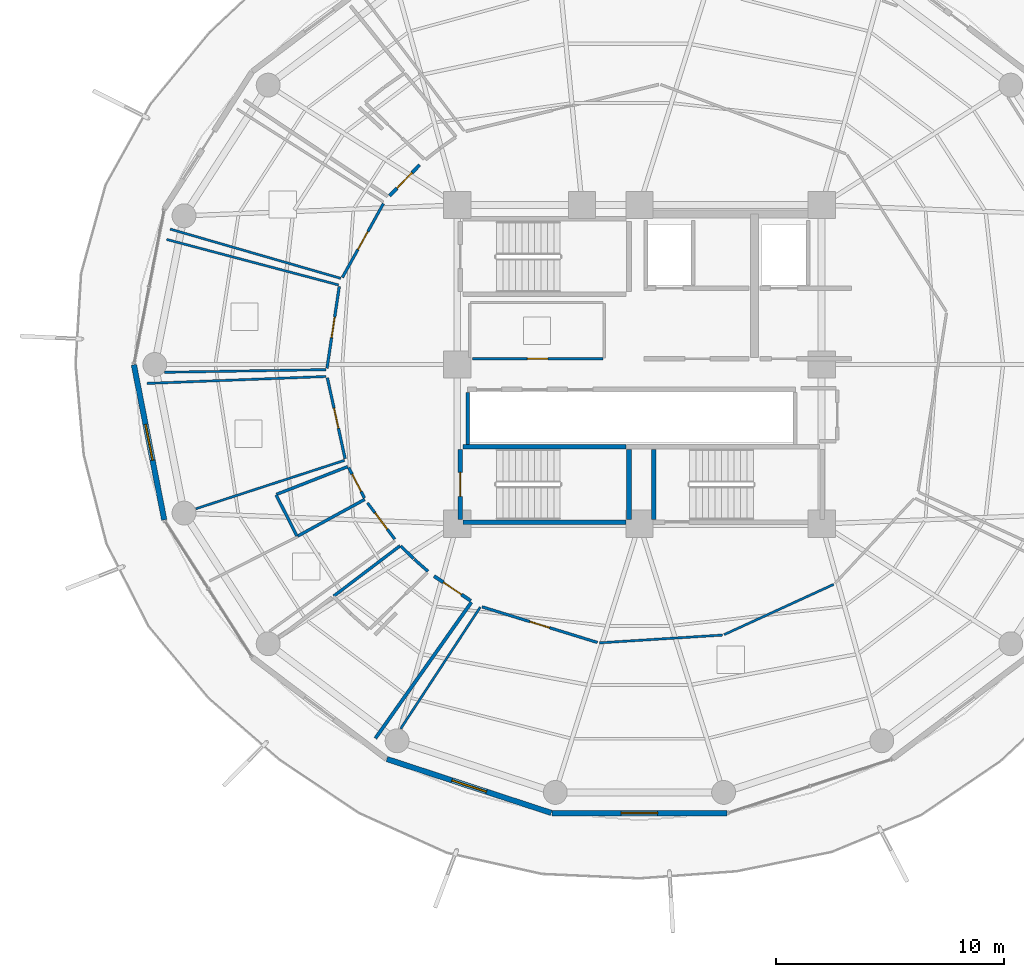
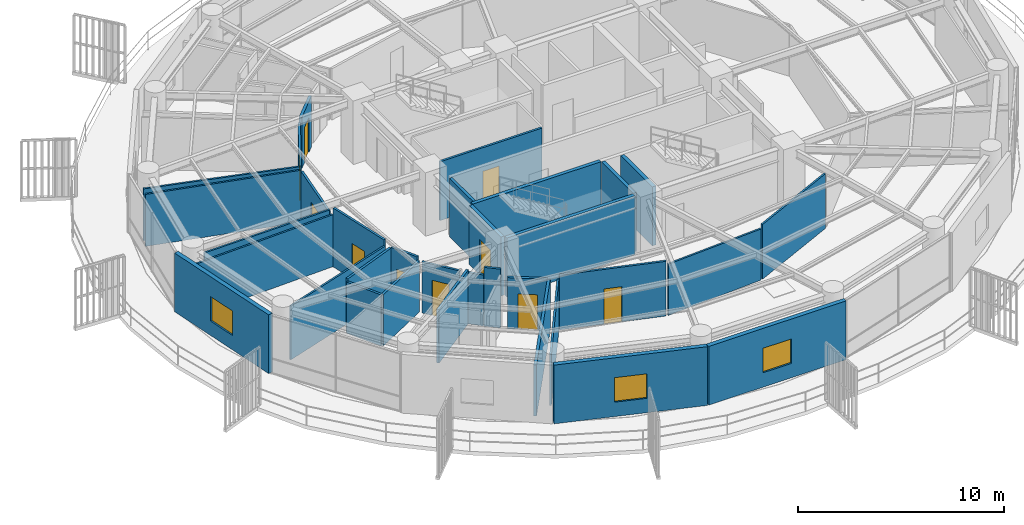
# One storey, part 23 of 30: 33 walls, 10 doors, 3 windows, 13 openings.
"""IFC4 building model written with IfcOpenShell, lengths in metres."""

from ifc_helpers import new_model, si_unit, direction, frame, frame_2d, origin, place, context, subcontext, project, spatial, rectangle, extrude, material, layer, layer_set, type_object, element, fill, save


model = new_model("IFC4")

# Units and contexts
model_context = context("Model", 3, precision=1e-05, world=origin(), true_north=direction((0.0, 1.0)))
body_context = subcontext(model_context, "Body", "Model", "MODEL_VIEW")
ifc_project = project(units=[si_unit("LENGTHUNIT", "METRE"), si_unit("AREAUNIT", "SQUARE_METRE"), si_unit("VOLUMEUNIT", "CUBIC_METRE"), si_unit("PLANEANGLEUNIT", "RADIAN"), si_unit("MASSUNIT", "GRAM", prefix="KILO")], contexts=[model_context])

# Site, building, storey
site_placement = place(None, origin())
site = spatial("IfcSite", under=ifc_project, at=site_placement, CompositionType="ELEMENT")
building_placement = place(site_placement, origin())
building = spatial("IfcBuilding", under=site, at=building_placement, Name="Kelanora Arch Commons", CompositionType="ELEMENT")
storey_placement = place(building_placement, frame((0.0, 0.0, 208.199951171875)))
storey = spatial("IfcBuildingStorey", under=building, at=storey_placement, Name="L53", CompositionType="ELEMENT", Elevation=208.199951171875)

# Wall
ifc_material_1 = material(Name="Autoclaved aerated concrete blockwork with fire plaster", Category="masonry")
ifc_layer_1 = layer(ifc_material_1, 0.14990234375)
ifc_layer_set_1 = layer_set([ifc_layer_1], Name="Autoclaved aerated concrete blockwork with fire plaster")
wall_type_1 = type_object("IfcWallType", Name="W-COMP-150", PredefinedType="PARTITIONING", material=ifc_layer_set_1)
wall_1_placement = place(storey_placement, frame((66.4599609375, 54.47998046875, 0.0), z_axis=(0.0, 0.0, 1.0), x_axis=(0.0, 1.0, 0.0)))
element("IfcWall", 1, at=wall_1_placement, inside=storey, type_object=wall_type_1, Name="South Lift Bank West Wall L53", PredefinedType="PARTITIONING", context=body_context, shape_type="SweptSolid", body=[
    extrude(rectangle(XDim=2.2900390625, YDim=0.14990234375, at=frame_2d((1.14501953125, 0.0))), origin(), (0.0, 0.0, 1.0), 3.47998046875),
])

# Wall, opening, door
wall_2_placement = place(storey_placement, frame((64.34716796875, 66.761962890625, 0.0), z_axis=(0.0, 0.0, 1.0), x_axis=(-0.697118859216, -0.716955574722, 0.0)))
wall_2 = element("IfcWall", 2, at=wall_2_placement, inside=storey, type_object=wall_type_1, Name="Co-Living Studio L53-01 Entry Partition", PredefinedType="PARTITIONING", context=body_context, shape_type="SweptSolid", body=[
    extrude(rectangle(XDim=1.895263671875, YDim=0.14990234375, at=frame_2d((0.94775390625, 0.0))), origin(), (0.0, 0.0, 1.0), 3.025146484375),
])
opening_1_placement = place(wall_2_placement, frame((0.472900390625, 0.0, 0.0)))
opening_1 = element("IfcOpeningElement", 3, at=opening_1_placement, cuts=wall_2, Name="Opening D-CLU1", PredefinedType="OPENING", context=body_context, shape_type="SweptSolid", body=[
    extrude(rectangle(XDim=0.949951171875, YDim=2.080078125, at=frame_2d((0.47509765625, 1.0400390625))), frame((0.0, 0.0849609375, 0.0), z_axis=(0.0, -1.0, 0.0), x_axis=(1.0, 0.0, 0.0)), (0.0, 0.0, 1.0), 0.169921875),
])
ifc_material_2 = material(Name="Solid-core acoustic timber cluster entry fire door", Category="wood")
door_type_1 = type_object("IfcDoorType", Name="D-CLU-95", OperationType="NOTDEFINED", PredefinedType="DOOR", material=ifc_material_2)
door_1_placement = place(opening_1_placement, origin())
door_1 = element("IfcDoor", 4, at=door_1_placement, inside=storey, type_object=door_type_1, Name="Co-Living Studio L53-01 Door", OperationType="SINGLE_SWING_RIGHT", OverallHeight=2.080078125, OverallWidth=0.949951171875, PredefinedType="DOOR", context=body_context, shape_type="SweptSolid", body=[
    extrude(rectangle(XDim=0.949951171875, YDim=2.080078125, at=frame_2d((0.47509765625, 1.0400390625))), frame((0.0, 0.02490234375, 0.0), z_axis=(0.0, -1.0, 0.0), x_axis=(1.0, 0.0, 0.0)), (0.0, 0.0, 1.0), 0.050048828125),
])
fill(opening_1, door_1)

wall_3_placement = place(storey_placement, frame((64.98388671875, 48.70654296875, 0.0), z_axis=(0.0, 0.0, 1.0), x_axis=(0.829408373073, -0.558642775553, 0.0)))
wall_3 = element("IfcWall", 5, at=wall_3_placement, inside=storey, type_object=wall_type_1, Name="Co-Living Studio L53-06 Entry Partition", PredefinedType="PARTITIONING", context=body_context, shape_type="SweptSolid", body=[
    extrude(rectangle(XDim=1.9404296875, YDim=0.14990234375, at=frame_2d((0.97021484375, 0.0))), origin(), (0.0, 0.0, 1.0), 3.025146484375),
])
opening_2_placement = place(wall_3_placement, frame((0.4951171875, 0.0, 0.0)))
opening_2 = element("IfcOpeningElement", 6, at=opening_2_placement, cuts=wall_3, Name="Opening D-CLU1", PredefinedType="OPENING", context=body_context, shape_type="SweptSolid", body=[
    extrude(rectangle(XDim=0.949951171875, YDim=2.080078125, at=frame_2d((0.47509765625, 1.0400390625))), frame((0.0, 0.0849609375, 0.0), z_axis=(0.0, -1.0, 0.0), x_axis=(1.0, 0.0, 0.0)), (0.0, 0.0, 1.0), 0.169921875),
])
door_2_placement = place(opening_2_placement, origin())
door_2 = element("IfcDoor", 7, at=door_2_placement, inside=storey, type_object=door_type_1, Name="Co-Living Studio L53-06 Door", OperationType="SINGLE_SWING_LEFT", OverallHeight=2.080078125, OverallWidth=0.949951171875, PredefinedType="DOOR", context=body_context, shape_type="SweptSolid", body=[
    extrude(rectangle(XDim=0.949951171875, YDim=2.080078125, at=frame_2d((0.47509765625, 1.0400390625))), frame((0.0, 0.02490234375, 0.0), z_axis=(0.0, -1.0, 0.0), x_axis=(1.0, 0.0, 0.0)), (0.0, 0.0, 1.0), 0.050048828125),
])
fill(opening_2, door_2)

# Wall
wall_4_placement = place(storey_placement, frame((66.619873046875, 47.556396484375, 0.0), z_axis=(0.0, 0.0, 1.0), x_axis=(-0.576552043051, -0.817060427174, 0.0)))
element("IfcWall", 8, at=wall_4_placement, inside=storey, type_object=wall_type_1, Name="Co-Living Studio L53-06 Enclosure Partition 2", PredefinedType="PARTITIONING", context=body_context, shape_type="SweptSolid", body=[
    extrude(rectangle(XDim=7.308837890625, YDim=0.14990234375, at=frame_2d((3.654296875, 0.0))), origin(), (0.0, 0.0, 1.0), 3.025146484375),
])

# Wall, opening, window
ifc_material_3 = material(Name="Precast concrete C40/50 upper-zone terracotta rainscreen", Category="masonry")
ifc_layer_2 = layer(ifc_material_3, 0.239990234375)
ifc_layer_set_2 = layer_set([ifc_layer_2], Name="Precast concrete C40/50 upper-zone terracotta rainscreen")
wall_type_2 = type_object("IfcWallType", Name="W-EXT-TC2", PredefinedType="SOLIDWALL", material=ifc_layer_set_2)
wall_5_placement = place(storey_placement, frame((51.802978515625, 57.9853515625, 0.0), z_axis=(0.0, 0.0, 1.0), x_axis=(0.192069055673, -0.981381413036, 0.0)))
wall_5 = element("IfcWall", 9, at=wall_5_placement, inside=storey, type_object=wall_type_2, Name="Terracotta Exterior Wall L53-B09", PredefinedType="SOLIDWALL", context=body_context, shape_type="SweptSolid", body=[
    extrude(rectangle(XDim=6.940185546875, YDim=0.239990234375, at=frame_2d((3.47021484375, 0.0))), origin(), (0.0, 0.0, 1.0), 3.47509765625),
])
opening_3_placement = place(wall_5_placement, frame((2.669921875, 0.0, 0.85009765625)))
opening_3 = element("IfcOpeningElement", 10, at=opening_3_placement, cuts=wall_5, Name="Opening WN-01", PredefinedType="OPENING", context=body_context, shape_type="SweptSolid", body=[
    extrude(rectangle(XDim=1.60009765625, YDim=1.449951171875, at=frame_2d((0.800048828125, 0.72509765625))), frame((0.0, 0.1298828125, 0.0), z_axis=(0.0, -1.0, 0.0), x_axis=(1.0, 0.0, 0.0)), (0.0, 0.0, 1.0), 0.260009765625),
])
ifc_material_4 = material(Name="Terracotta-anodised aluminium frame with operable low-E glazing", Category="masonry")
window_type = type_object("IfcWindowType", Name="WIN-CL-18", PartitioningType="DOUBLE_PANEL_VERTICAL", PredefinedType="WINDOW", material=ifc_material_4)
window_1_placement = place(opening_3_placement, origin())
window_1 = element("IfcWindow", 11, at=window_1_placement, inside=storey, type_object=window_type, Name="Co-Living Operable Window L53-B09", OverallHeight=1.449951171875, OverallWidth=1.60009765625, PartitioningType="SINGLE_PANEL", PredefinedType="WINDOW", context=body_context, shape_type="SweptSolid", body=[
    extrude(rectangle(XDim=1.60009765625, YDim=1.449951171875, at=frame_2d((0.800048828125, 0.72509765625))), frame((0.0, 0.030029296875, 0.0), z_axis=(0.0, -1.0, 0.0), x_axis=(1.0, 0.0, 0.0)), (0.0, 0.0, 1.0), 0.06005859375),
])
fill(opening_3, window_1)

wall_6_placement = place(storey_placement, frame((62.914306640625, 40.6748046875, 0.0), z_axis=(0.0, 0.0, 1.0), x_axis=(0.95022142767, -0.31157541366, 0.0)))
wall_6 = element("IfcWall", 12, at=wall_6_placement, inside=storey, type_object=wall_type_2, Name="Terracotta Exterior Wall L53-B12", PredefinedType="SOLIDWALL", context=body_context, shape_type="SweptSolid", body=[
    extrude(rectangle(XDim=7.59423828125, YDim=0.239990234375, at=frame_2d((3.797119140625, 0.0))), origin(), (0.0, 0.0, 1.0), 3.47509765625),
])
opening_4_placement = place(wall_6_placement, frame((2.9970703125, 0.0, 0.85009765625)))
opening_4 = element("IfcOpeningElement", 13, at=opening_4_placement, cuts=wall_6, Name="Opening WN-01", PredefinedType="OPENING", context=body_context, shape_type="SweptSolid", body=[
    extrude(rectangle(XDim=1.60009765625, YDim=1.449951171875, at=frame_2d((0.800048828125, 0.72509765625))), frame((0.0, 0.1298828125, 0.0), z_axis=(0.0, -1.0, 0.0), x_axis=(1.0, 0.0, 0.0)), (0.0, 0.0, 1.0), 0.260009765625),
])
window_2_placement = place(opening_4_placement, origin())
window_2 = element("IfcWindow", 14, at=window_2_placement, inside=storey, type_object=window_type, Name="Co-Living Operable Window L53-B12", OverallHeight=1.449951171875, OverallWidth=1.60009765625, PartitioningType="SINGLE_PANEL", PredefinedType="WINDOW", context=body_context, shape_type="SweptSolid", body=[
    extrude(rectangle(XDim=1.60009765625, YDim=1.449951171875, at=frame_2d((0.800048828125, 0.72509765625))), frame((0.0, 0.030029296875, 0.0), z_axis=(0.0, -1.0, 0.0), x_axis=(1.0, 0.0, 0.0)), (0.0, 0.0, 1.0), 0.06005859375),
])
fill(opening_4, window_2)

wall_7_placement = place(storey_placement, frame((70.159912109375, 38.3037109375, 0.0), z_axis=(0.0, 0.0, 1.0), x_axis=(1.0, 0.0, 0.0)))
wall_7 = element("IfcWall", 15, at=wall_7_placement, inside=storey, type_object=wall_type_2, Name="Terracotta Exterior Wall L53-B13", PredefinedType="SOLIDWALL", context=body_context, shape_type="SweptSolid", body=[
    extrude(rectangle(XDim=7.68017578125, YDim=0.239990234375, at=frame_2d((3.840087890625, 0.0))), origin(), (0.0, 0.0, 1.0), 3.47509765625),
])
opening_5_placement = place(wall_7_placement, frame((3.0400390625, 0.0, 0.85009765625)))
opening_5 = element("IfcOpeningElement", 16, at=opening_5_placement, cuts=wall_7, Name="Opening WN-01", PredefinedType="OPENING", context=body_context, shape_type="SweptSolid", body=[
    extrude(rectangle(XDim=1.60009765625, YDim=1.449951171875, at=frame_2d((0.800048828125, 0.72509765625))), frame((0.0, 0.1298828125, 0.0), z_axis=(0.0, -1.0, 0.0), x_axis=(1.0, 0.0, 0.0)), (0.0, 0.0, 1.0), 0.260009765625),
])
window_3_placement = place(opening_5_placement, origin())
window_3 = element("IfcWindow", 17, at=window_3_placement, inside=storey, type_object=window_type, Name="Co-Living Operable Window L53-B13", OverallHeight=1.449951171875, OverallWidth=1.60009765625, PartitioningType="SINGLE_PANEL", PredefinedType="WINDOW", context=body_context, shape_type="SweptSolid", body=[
    extrude(rectangle(XDim=1.60009765625, YDim=1.449951171875, at=frame_2d((0.800048828125, 0.72509765625))), frame((0.0, 0.030029296875, 0.0), z_axis=(0.0, -1.0, 0.0), x_axis=(1.0, 0.0, 0.0)), (0.0, 0.0, 1.0), 0.06005859375),
])
fill(opening_5, window_3)

# Walls
ifc_material_5 = material(Name="Lightweight fire-rated acoustic stud partition")
ifc_layer_3 = layer(ifc_material_5, 0.10009765625)
ifc_layer_set_3 = layer_set([ifc_layer_3], Name="Lightweight fire-rated acoustic stud partition")
wall_type_3 = type_object("IfcWallType", Name="W-PART-100", PredefinedType="PARTITIONING", material=ifc_layer_set_3)
wall_8_placement = place(storey_placement, frame((72.25390625, 45.777587890625, 0.0), z_axis=(0.0, 0.0, 1.0), x_axis=(0.99800477295, 0.063138523658, 0.0)))
element("IfcWall", 18, at=wall_8_placement, inside=storey, type_object=wall_type_3, Name="South-East Shared Study Commons L53 Enclosure Partition 2", PredefinedType="PARTITIONING", context=body_context, shape_type="SweptSolid", body=[
    extrude(rectangle(XDim=5.39794921875, YDim=0.10009765625, at=frame_2d((2.698974609375, 0.0))), origin(), (0.0, 0.0, 1.0), 3.025146484375),
])
wall_9_placement = place(storey_placement, frame((77.71728515625, 46.1376953125, 0.0), z_axis=(0.0, 0.0, 1.0), x_axis=(0.908908137454, 0.416996400069, 0.0)))
element("IfcWall", 19, at=wall_9_placement, inside=storey, type_object=wall_type_3, Name="South-East Shared Study Commons L53 Enclosure Partition 3", PredefinedType="PARTITIONING", context=body_context, shape_type="SweptSolid", body=[
    extrude(rectangle(XDim=5.2890625, YDim=0.10009765625, at=frame_2d((2.64453125, 0.0))), origin(), (0.0, 0.0, 1.0), 3.235107421875),
])
wall_10_placement = place(storey_placement, frame((63.513916015625, 42.00439453125, 0.0), z_axis=(0.0, 0.0, 1.0), x_axis=(0.547776057645, 0.836625000028, 0.0)))
element("IfcWall", 20, at=wall_10_placement, inside=storey, type_object=wall_type_3, Name="South-East Shared Study Commons L53 Enclosure Partition 10", PredefinedType="PARTITIONING", context=body_context, shape_type="SweptSolid", body=[
    extrude(rectangle(XDim=6.380615234375, YDim=0.10009765625, at=frame_2d((3.1904296875, 0.0))), origin(), (0.0, 0.0, 1.0), 3.025146484375),
])
wall_11_placement = place(storey_placement, frame((60.888671875, 61.780029296875, 0.0), z_axis=(0.0, 0.0, 1.0), x_axis=(-0.960734399679, 0.277469661899, 0.0)))
element("IfcWall", 21, at=wall_11_placement, inside=storey, type_object=wall_type_3, Name="Shared Cluster Kitchen L53-02 Enclosure Partition 2", PredefinedType="PARTITIONING", context=body_context, shape_type="SweptSolid", body=[
    extrude(rectangle(XDim=7.79833984375, YDim=0.10009765625, at=frame_2d((3.899169921875, 0.0))), origin(), (0.0, 0.0, 1.0), 3.074951171875),
])
wall_12_placement = place(storey_placement, frame((60.23193359375, 57.773193359375, 0.0), z_axis=(0.0, 0.0, 1.0), x_axis=(-0.999864271248, -0.016475408379, 0.0)))
element("IfcWall", 22, at=wall_12_placement, inside=storey, type_object=wall_type_3, Name="Quiet Seminar Study Room L53-03 Enclosure Partition 2", PredefinedType="PARTITIONING", context=body_context, shape_type="SweptSolid", body=[
    extrude(rectangle(XDim=7.083251953125, YDim=0.10009765625, at=frame_2d((3.54150390625, 0.0))), origin(), (0.0, 0.0, 1.0), 3.175048828125),
])
wall_13_placement = place(storey_placement, frame((53.24072265625, 63.48974609375, 0.0), z_axis=(0.0, 0.0, 1.0), x_axis=(0.966701361123, -0.25590716755, 0.0)))
element("IfcWall", 23, at=wall_13_placement, inside=storey, type_object=wall_type_3, Name="Quiet Seminar Study Room L53-03 Enclosure Partition 4", PredefinedType="PARTITIONING", context=body_context, shape_type="SweptSolid", body=[
    extrude(rectangle(XDim=7.8095703125, YDim=0.10009765625, at=frame_2d((3.90478515625, 0.0))), origin(), (0.0, 0.0, 1.0), 3.074951171875),
])
wall_14_placement = place(storey_placement, frame((61.052001953125, 53.79052734375, 0.0), z_axis=(0.0, 0.0, 1.0), x_axis=(-0.950863645771, -0.309609959708, 0.0)))
element("IfcWall", 24, at=wall_14_placement, inside=storey, type_object=wall_type_3, Name="Social Sky Lounge L53-04 Enclosure Partition 2", PredefinedType="PARTITIONING", context=body_context, shape_type="SweptSolid", body=[
    extrude(rectangle(XDim=6.869873046875, YDim=0.10009765625, at=frame_2d((3.43505859375, 0.0))), origin(), (0.0, 0.0, 1.0), 3.175048828125),
])
wall_15_placement = place(storey_placement, frame((52.3798828125, 57.16845703125, 0.0), z_axis=(0.0, 0.0, 1.0), x_axis=(0.999258468257, 0.038503423452, 0.0)))
element("IfcWall", 25, at=wall_15_placement, inside=storey, type_object=wall_type_3, Name="Social Sky Lounge L53-04 Enclosure Partition 4", PredefinedType="PARTITIONING", context=body_context, shape_type="SweptSolid", body=[
    extrude(rectangle(XDim=7.868896484375, YDim=0.10009765625, at=frame_2d((3.9345703125, 0.0))), origin(), (0.0, 0.0, 1.0), 3.074951171875),
])

# Wall, opening, door
ifc_material_6 = material(Name="Acoustic twin-stud fire-rated gypsum partition")
ifc_layer_4 = layer(ifc_material_6, 0.1201171875)
ifc_layer_set_4 = layer_set([ifc_layer_4], Name="Acoustic twin-stud fire-rated gypsum partition")
wall_type_4 = type_object("IfcWallType", Name="W-PART-120", PredefinedType="PARTITIONING", material=ifc_layer_set_4)
wall_16_placement = place(storey_placement, frame((66.67529296875, 58.25, 0.0), z_axis=(0.0, 0.0, 1.0), x_axis=(1.0, 0.0, 0.0)))
wall_16 = element("IfcWall", 26, at=wall_16_placement, inside=storey, type_object=wall_type_4, Name="Reclaimed Core Study Pod Lounge L53 Entry Partition", PredefinedType="PARTITIONING", context=body_context, shape_type="SweptSolid", body=[
    extrude(rectangle(XDim=5.714599609375, YDim=0.1201171875, at=frame_2d((2.857421875, 0.0))), origin(), (0.0, 0.0, 1.0), 3.47998046875),
])
opening_6_placement = place(wall_16_placement, frame((2.406982421875, 0.0, 0.0)))
opening_6 = element("IfcOpeningElement", 27, at=opening_6_placement, cuts=wall_16, Name="Opening D-RM1", PredefinedType="OPENING", context=body_context, shape_type="SweptSolid", body=[
    extrude(rectangle(XDim=0.89990234375, YDim=2.080078125, at=frame_2d((0.449951171875, 1.0400390625))), frame((0.0, 0.070068359375, 0.0), z_axis=(0.0, -1.0, 0.0), x_axis=(1.0, 0.0, 0.0)), (0.0, 0.0, 1.0), 0.14013671875),
])
ifc_material_7 = material(Name="Acoustic fire-rated timber study and lounge door", Category="wood")
door_type_2 = type_object("IfcDoorType", Name="D-ROOM-90", OperationType="NOTDEFINED", PredefinedType="DOOR", material=ifc_material_7)
door_3_placement = place(opening_6_placement, origin())
door_3 = element("IfcDoor", 28, at=door_3_placement, inside=storey, type_object=door_type_2, Name="Reclaimed Core Study Pod Lounge L53 Door", OperationType="SINGLE_SWING_RIGHT", OverallHeight=2.080078125, OverallWidth=0.89990234375, PredefinedType="DOOR", context=body_context, shape_type="SweptSolid", body=[
    extrude(rectangle(XDim=0.89990234375, YDim=2.080078125, at=frame_2d((0.449951171875, 1.0400390625))), frame((0.0, 0.02490234375, 0.0), z_axis=(0.0, -1.0, 0.0), x_axis=(1.0, 0.0, 0.0)), (0.0, 0.0, 1.0), 0.050048828125),
])
fill(opening_6, door_3)

wall_17_placement = place(storey_placement, frame((67.08837890625, 47.3583984375, 0.0), z_axis=(0.0, 0.0, 1.0), x_axis=(0.955451026591, -0.295149683696, 0.0)))
wall_17 = element("IfcWall", 29, at=wall_17_placement, inside=storey, type_object=wall_type_4, Name="South-East Shared Study Commons L53 Entry Partition", PredefinedType="PARTITIONING", context=body_context, shape_type="SweptSolid", body=[
    extrude(rectangle(XDim=5.3046875, YDim=0.1201171875, at=frame_2d((2.65234375, 0.0))), origin(), (0.0, 0.0, 1.0), 3.235107421875),
])
opening_7_placement = place(wall_17_placement, frame((2.201904296875, 0.0, 0.0)))
opening_7 = element("IfcOpeningElement", 30, at=opening_7_placement, cuts=wall_17, Name="Opening D-RM1", PredefinedType="OPENING", context=body_context, shape_type="SweptSolid", body=[
    extrude(rectangle(XDim=0.89990234375, YDim=2.080078125, at=frame_2d((0.449951171875, 1.0400390625))), frame((0.0, 0.070068359375, 0.0), z_axis=(0.0, -1.0, 0.0), x_axis=(1.0, 0.0, 0.0)), (0.0, 0.0, 1.0), 0.14013671875),
])
door_4_placement = place(opening_7_placement, origin())
door_4 = element("IfcDoor", 31, at=door_4_placement, inside=storey, type_object=door_type_2, Name="South-East Shared Study Commons L53 Door", OperationType="SINGLE_SWING_LEFT", OverallHeight=2.080078125, OverallWidth=0.89990234375, PredefinedType="DOOR", context=body_context, shape_type="SweptSolid", body=[
    extrude(rectangle(XDim=0.89990234375, YDim=2.080078125, at=frame_2d((0.449951171875, 1.0400390625))), frame((0.0, 0.02490234375, 0.0), z_axis=(0.0, -1.0, 0.0), x_axis=(1.0, 0.0, 0.0)), (0.0, 0.0, 1.0), 0.050048828125),
])
fill(opening_7, door_4)

wall_18_placement = place(storey_placement, frame((62.7587890625, 65.063720703125, 0.0), z_axis=(0.0, 0.0, 1.0), x_axis=(-0.485877595764, -0.874026865683, 0.0)))
wall_18 = element("IfcWall", 32, at=wall_18_placement, inside=storey, type_object=wall_type_4, Name="Shared Cluster Kitchen L53-02 Entry Partition", PredefinedType="PARTITIONING", context=body_context, shape_type="SweptSolid", body=[
    extrude(rectangle(XDim=3.709716796875, YDim=0.1201171875, at=frame_2d((1.85498046875, 0.0))), origin(), (0.0, 0.0, 1.0), 3.025146484375),
])
opening_8_placement = place(wall_18_placement, frame((1.405029296875, 0.0, 0.0)))
opening_8 = element("IfcOpeningElement", 33, at=opening_8_placement, cuts=wall_18, Name="Opening D-RM1", PredefinedType="OPENING", context=body_context, shape_type="SweptSolid", body=[
    extrude(rectangle(XDim=0.89990234375, YDim=2.080078125, at=frame_2d((0.449951171875, 1.0400390625))), frame((0.0, 0.070068359375, 0.0), z_axis=(0.0, -1.0, 0.0), x_axis=(1.0, 0.0, 0.0)), (0.0, 0.0, 1.0), 0.14013671875),
])
door_5_placement = place(opening_8_placement, origin())
door_5 = element("IfcDoor", 34, at=door_5_placement, inside=storey, type_object=door_type_2, Name="Shared Cluster Kitchen L53-02 Door", OperationType="SINGLE_SWING_LEFT", OverallHeight=2.080078125, OverallWidth=0.89990234375, PredefinedType="DOOR", context=body_context, shape_type="SweptSolid", body=[
    extrude(rectangle(XDim=0.89990234375, YDim=2.080078125, at=frame_2d((0.449951171875, 1.0400390625))), frame((0.0, 0.02490234375, 0.0), z_axis=(0.0, -1.0, 0.0), x_axis=(1.0, 0.0, 0.0)), (0.0, 0.0, 1.0), 0.050048828125),
])
fill(opening_8, door_5)

wall_19_placement = place(storey_placement, frame((60.820068359375, 61.421630859375, 0.0), z_axis=(0.0, 0.0, 1.0), x_axis=(-0.148557592641, -0.988903757536, 0.0)))
wall_19 = element("IfcWall", 35, at=wall_19_placement, inside=storey, type_object=wall_type_4, Name="Quiet Seminar Study Room L53-03 Entry Partition", PredefinedType="PARTITIONING", context=body_context, shape_type="SweptSolid", body=[
    extrude(rectangle(XDim=3.628662109375, YDim=0.1201171875, at=frame_2d((1.814453125, 0.0))), origin(), (0.0, 0.0, 1.0), 3.025146484375),
])
opening_9_placement = place(wall_19_placement, frame((1.364013671875, 0.0, 0.0)))
opening_9 = element("IfcOpeningElement", 36, at=opening_9_placement, cuts=wall_19, Name="Opening D-RM1", PredefinedType="OPENING", context=body_context, shape_type="SweptSolid", body=[
    extrude(rectangle(XDim=0.89990234375, YDim=2.080078125, at=frame_2d((0.449951171875, 1.0400390625))), frame((0.0, 0.070068359375, 0.0), z_axis=(0.0, -1.0, 0.0), x_axis=(1.0, 0.0, 0.0)), (0.0, 0.0, 1.0), 0.14013671875),
])
door_6_placement = place(opening_9_placement, origin())
door_6 = element("IfcDoor", 37, at=door_6_placement, inside=storey, type_object=door_type_2, Name="Quiet Seminar Study Room L53-03 Door", OperationType="SINGLE_SWING_RIGHT", OverallHeight=2.080078125, OverallWidth=0.89990234375, PredefinedType="DOOR", context=body_context, shape_type="SweptSolid", body=[
    extrude(rectangle(XDim=0.89990234375, YDim=2.080078125, at=frame_2d((0.449951171875, 1.0400390625))), frame((0.0, 0.02490234375, 0.0), z_axis=(0.0, -1.0, 0.0), x_axis=(1.0, 0.0, 0.0)), (0.0, 0.0, 1.0), 0.050048828125),
])
fill(opening_9, door_6)

wall_20_placement = place(storey_placement, frame((60.2958984375, 57.414306640625, 0.0), z_axis=(0.0, 0.0, 1.0), x_axis=(0.214769597133, -0.976664742963, 0.0)))
wall_20 = element("IfcWall", 38, at=wall_20_placement, inside=storey, type_object=wall_type_4, Name="Social Sky Lounge L53-04 Entry Partition", PredefinedType="PARTITIONING", context=body_context, shape_type="SweptSolid", body=[
    extrude(rectangle(XDim=3.6376953125, YDim=0.1201171875, at=frame_2d((1.81884765625, 0.0))), origin(), (0.0, 0.0, 1.0), 3.47998046875),
])
opening_10_placement = place(wall_20_placement, frame((1.368896484375, 0.0, 0.0)))
opening_10 = element("IfcOpeningElement", 39, at=opening_10_placement, cuts=wall_20, Name="Opening D-RM1", PredefinedType="OPENING", context=body_context, shape_type="SweptSolid", body=[
    extrude(rectangle(XDim=0.89990234375, YDim=2.080078125, at=frame_2d((0.449951171875, 1.0400390625))), frame((0.0, 0.070068359375, 0.0), z_axis=(0.0, -1.0, 0.0), x_axis=(1.0, 0.0, 0.0)), (0.0, 0.0, 1.0), 0.14013671875),
])
door_7_placement = place(opening_10_placement, origin())
door_7 = element("IfcDoor", 40, at=door_7_placement, inside=storey, type_object=door_type_2, Name="Social Sky Lounge L53-04 Door", OperationType="SINGLE_SWING_LEFT", OverallHeight=2.080078125, OverallWidth=0.89990234375, PredefinedType="DOOR", context=body_context, shape_type="SweptSolid", body=[
    extrude(rectangle(XDim=0.89990234375, YDim=2.080078125, at=frame_2d((0.449951171875, 1.0400390625))), frame((0.0, 0.02490234375, 0.0), z_axis=(0.0, -1.0, 0.0), x_axis=(1.0, 0.0, 0.0)), (0.0, 0.0, 1.0), 0.050048828125),
])
fill(opening_10, door_7)

wall_21_placement = place(storey_placement, frame((62.06005859375, 51.922119140625, 0.0), z_axis=(0.0, 0.0, 1.0), x_axis=(0.600647163637, -0.799514218019, 0.0)))
wall_21 = element("IfcWall", 41, at=wall_21_placement, inside=storey, type_object=wall_type_4, Name="Tutorial Study Alcove L53-05 Entry Partition", PredefinedType="PARTITIONING", context=body_context, shape_type="SweptSolid", body=[
    extrude(rectangle(XDim=1.9912109375, YDim=0.1201171875, at=frame_2d((0.99560546875, 0.0))), origin(), (0.0, 0.0, 1.0), 3.025146484375),
])
opening_11_placement = place(wall_21_placement, frame((0.5458984375, 0.0, 0.0)))
opening_11 = element("IfcOpeningElement", 42, at=opening_11_placement, cuts=wall_21, Name="Opening D-RM1", PredefinedType="OPENING", context=body_context, shape_type="SweptSolid", body=[
    extrude(rectangle(XDim=0.89990234375, YDim=2.080078125, at=frame_2d((0.449951171875, 1.0400390625))), frame((0.0, 0.070068359375, 0.0), z_axis=(0.0, -1.0, 0.0), x_axis=(1.0, 0.0, 0.0)), (0.0, 0.0, 1.0), 0.14013671875),
])
door_8_placement = place(opening_11_placement, origin())
door_8 = element("IfcDoor", 43, at=door_8_placement, inside=storey, type_object=door_type_2, Name="Tutorial Study Alcove L53-05 Door", OperationType="SINGLE_SWING_LEFT", OverallHeight=2.080078125, OverallWidth=0.89990234375, PredefinedType="DOOR", context=body_context, shape_type="SweptSolid", body=[
    extrude(rectangle(XDim=0.89990234375, YDim=2.080078125, at=frame_2d((0.449951171875, 1.0400390625))), frame((0.0, 0.02490234375, 0.0), z_axis=(0.0, -1.0, 0.0), x_axis=(1.0, 0.0, 0.0)), (0.0, 0.0, 1.0), 0.050048828125),
])
fill(opening_11, door_8)

# Walls
ifc_material_8 = material(Name="Concrete C40/50", Category="concrete")
ifc_layer_5 = layer(ifc_material_8, 0.199951171875)
ifc_layer_set_5 = layer_set([ifc_layer_5], Name="Concrete C40/50")
wall_type_5 = type_object("IfcWallType", Name="W-STAIR-200", PredefinedType="SHEAR", material=ifc_layer_set_5)
wall_22_placement = place(storey_placement, frame((74.6201171875, 54.27001953125, 0.0), z_axis=(0.0, 0.0, 1.0), x_axis=(0.0, -1.0, 0.0)))
element("IfcWall", 44, at=wall_22_placement, inside=storey, type_object=wall_type_5, Name="Stair ST-T2 Shaft Wall W L53", PredefinedType="SHEAR", context=body_context, shape_type="SweptSolid", body=[
    extrude(rectangle(XDim=3.070068359375, YDim=0.199951171875, at=frame_2d((1.53515625, 0.0))), origin(), (0.0, 0.0, 1.0), 3.489990234375),
])
wall_23_placement = place(storey_placement, frame((66.260009765625, 51.080078125, 0.0), z_axis=(0.0, 0.0, 1.0), x_axis=(1.0, 0.0, 0.0)))
element("IfcWall", 45, at=wall_23_placement, inside=storey, type_object=wall_type_5, Name="Stair ST-T3 Shaft Wall S L53", PredefinedType="SHEAR", context=body_context, shape_type="SweptSolid", body=[
    extrude(rectangle(XDim=7.159912109375, YDim=0.199951171875, at=frame_2d((3.580078125, 0.0))), origin(), (0.0, 0.0, 1.0), 3.489990234375),
])
wall_24_placement = place(storey_placement, frame((73.5400390625, 51.199951171875, 0.0), z_axis=(0.0, 0.0, 1.0), x_axis=(0.0, 1.0, 0.0)))
element("IfcWall", 46, at=wall_24_placement, inside=storey, type_object=wall_type_5, Name="Stair ST-T3 Shaft Wall E L53", PredefinedType="SHEAR", context=body_context, shape_type="SweptSolid", body=[
    extrude(rectangle(XDim=3.070068359375, YDim=0.199951171875, at=frame_2d((1.53515625, 0.0))), origin(), (0.0, 0.0, 1.0), 3.489990234375),
])
wall_25_placement = place(storey_placement, frame((73.419921875, 54.389892578125, 0.0), z_axis=(0.0, 0.0, 1.0), x_axis=(-1.0, 0.0, 0.0)))
element("IfcWall", 47, at=wall_25_placement, inside=storey, type_object=wall_type_5, Name="Stair ST-T3 Shaft Wall N L53", PredefinedType="SHEAR", context=body_context, shape_type="SweptSolid", body=[
    extrude(rectangle(XDim=7.159912109375, YDim=0.199951171875, at=frame_2d((3.580078125, 0.0))), origin(), (0.0, 0.0, 1.0), 3.489990234375),
])

# Wall, opening, door
wall_26_placement = place(storey_placement, frame((66.139892578125, 54.27001953125, 0.0), z_axis=(0.0, 0.0, 1.0), x_axis=(0.0, -1.0, 0.0)))
wall_26 = element("IfcWall", 48, at=wall_26_placement, inside=storey, type_object=wall_type_5, Name="Stair ST-T3 Shaft Wall W L53", PredefinedType="SHEAR", context=body_context, shape_type="SweptSolid", body=[
    extrude(rectangle(XDim=3.070068359375, YDim=0.199951171875, at=frame_2d((1.53515625, 0.0))), origin(), (0.0, 0.0, 1.0), 3.489990234375),
])
opening_12_placement = place(wall_26_placement, frame((1.010009765625, 0.0, 0.0)))
opening_12 = element("IfcOpeningElement", 49, at=opening_12_placement, cuts=wall_26, Name="Opening D-ST1", PredefinedType="OPENING", context=body_context, shape_type="SweptSolid", body=[
    extrude(rectangle(XDim=1.050048828125, YDim=2.10009765625, at=frame_2d((0.52490234375, 1.050048828125))), frame((0.0, 0.10986328125, 0.0), z_axis=(0.0, -1.0, 0.0), x_axis=(1.0, 0.0, 0.0)), (0.0, 0.0, 1.0), 0.219970703125),
])
ifc_material_9 = material(Name="Steel fire-rated stairwell escape door", Category="steel")
door_type_3 = type_object("IfcDoorType", Name="D-STAIR-110", OperationType="NOTDEFINED", PredefinedType="DOOR", material=ifc_material_9)
door_9_placement = place(opening_12_placement, origin())
door_9 = element("IfcDoor", 50, at=door_9_placement, inside=storey, type_object=door_type_3, Name="Stair ST-T3 Escape Door L53", OperationType="SINGLE_SWING_LEFT", OverallHeight=2.10009765625, OverallWidth=1.050048828125, PredefinedType="DOOR", context=body_context, shape_type="SweptSolid", body=[
    extrude(rectangle(XDim=1.050048828125, YDim=2.10009765625, at=frame_2d((0.52490234375, 1.050048828125))), frame((0.0, 0.02490234375, 0.0), z_axis=(0.0, -1.0, 0.0), x_axis=(1.0, 0.0, 0.0)), (0.0, 0.0, 1.0), 0.050048828125),
])
fill(opening_12, door_9)

ifc_material_10 = material(Name="Moisture-resistant fire-rated cement-board plumbing wall")
ifc_layer_6 = layer(ifc_material_10, 0.1298828125)
ifc_layer_set_6 = layer_set([ifc_layer_6], Name="Moisture-resistant fire-rated cement-board plumbing wall")
wall_type_6 = type_object("IfcWallType", Name="W-WET-120", PredefinedType="PLUMBINGWALL", material=ifc_layer_set_6)
wall_27_placement = place(storey_placement, frame((61.235595703125, 53.4677734375, 0.0), z_axis=(0.0, 0.0, 1.0), x_axis=(0.460573669508, -0.887621481802, 0.0)))
wall_27 = element("IfcWall", 51, at=wall_27_placement, inside=storey, type_object=wall_type_6, Name="Accessible Shared Floor WC L53-05 Entry Partition", PredefinedType="PLUMBINGWALL", context=body_context, shape_type="SweptSolid", body=[
    extrude(rectangle(XDim=1.500244140625, YDim=0.1298828125, at=frame_2d((0.75, 0.0))), origin(), (0.0, 0.0, 1.0), 3.235107421875),
])
opening_13_placement = place(wall_27_placement, frame((0.320068359375, 0.0, 0.0)))
opening_13 = element("IfcOpeningElement", 52, at=opening_13_placement, cuts=wall_27, Name="Opening D-BT1", PredefinedType="OPENING", context=body_context, shape_type="SweptSolid", body=[
    extrude(rectangle(XDim=0.860107421875, YDim=2.050048828125, at=frame_2d((0.43017578125, 1.02490234375))), frame((0.0, 0.074951171875, 0.0), z_axis=(0.0, -1.0, 0.0), x_axis=(1.0, 0.0, 0.0)), (0.0, 0.0, 1.0), 0.14990234375),
])
ifc_material_11 = material(Name="Moisture-sealed fire-rated accessible bathroom door")
door_type_4 = type_object("IfcDoorType", Name="D-BATH-85", OperationType="NOTDEFINED", PredefinedType="DOOR", material=ifc_material_11)
door_10_placement = place(opening_13_placement, origin())
door_10 = element("IfcDoor", 53, at=door_10_placement, inside=storey, type_object=door_type_4, Name="Accessible Shared Floor WC L53-05 Door", OperationType="SINGLE_SWING_RIGHT", OverallHeight=2.050048828125, OverallWidth=0.860107421875, PredefinedType="DOOR", context=body_context, shape_type="SweptSolid", body=[
    extrude(rectangle(XDim=0.860107421875, YDim=2.050048828125, at=frame_2d((0.43017578125, 1.02490234375))), frame((0.0, 0.02490234375, 0.0), z_axis=(0.0, -1.0, 0.0), x_axis=(1.0, 0.0, 0.0)), (0.0, 0.0, 1.0), 0.050048828125),
])
fill(opening_13, door_10)

# Walls
wall_28_placement = place(storey_placement, frame((61.9365234375, 52.073486328125, 0.0), z_axis=(0.0, 0.0, 1.0), x_axis=(-0.877295143091, -0.479951280767, 0.0)))
element("IfcWall", 54, at=wall_28_placement, inside=storey, type_object=wall_type_6, Name="Accessible Shared Floor WC L53-05 Enclosure Partition 2", PredefinedType="PLUMBINGWALL", context=body_context, shape_type="SweptSolid", body=[
    extrude(rectangle(XDim=3.3603515625, YDim=0.1298828125, at=frame_2d((1.68017578125, 0.0))), origin(), (0.0, 0.0, 1.0), 3.025146484375),
])
wall_29_placement = place(storey_placement, frame((58.9619140625, 50.46875, 0.0), z_axis=(0.0, 0.0, 1.0), x_axis=(-0.452384505313, 0.891822997771, 0.0)))
element("IfcWall", 55, at=wall_29_placement, inside=storey, type_object=wall_type_6, Name="Accessible Shared Floor WC L53-05 Enclosure Partition 3", PredefinedType="PLUMBINGWALL", context=body_context, shape_type="SweptSolid", body=[
    extrude(rectangle(XDim=2.017822265625, YDim=0.1298828125, at=frame_2d((1.0087890625, 0.0))), origin(), (0.0, 0.0, 1.0), 3.025146484375),
])
wall_30_placement = place(storey_placement, frame((58.05859375, 52.293212890625, 0.0), z_axis=(0.0, 0.0, 1.0), x_axis=(0.931712585556, 0.363196445352, 0.0)))
element("IfcWall", 56, at=wall_30_placement, inside=storey, type_object=wall_type_6, Name="Accessible Shared Floor WC L53-05 Enclosure Partition 4", PredefinedType="PLUMBINGWALL", context=body_context, shape_type="SweptSolid", body=[
    extrude(rectangle(XDim=3.3603515625, YDim=0.1298828125, at=frame_2d((1.68017578125, 0.0))), origin(), (0.0, 0.0, 1.0), 3.175048828125),
])
wall_31_placement = place(storey_placement, frame((63.519287109375, 50.035888671875, 0.0), z_axis=(0.0, 0.0, 1.0), x_axis=(0.708179895313, -0.706032036012, 0.0)))
element("IfcWall", 57, at=wall_31_placement, inside=storey, type_object=wall_type_6, Name="En-Suite Shower WC L53-06 Enclosure Partition 1", PredefinedType="PLUMBINGWALL", context=body_context, shape_type="SweptSolid", body=[
    extrude(rectangle(XDim=0.795654296875, YDim=0.1298828125, at=frame_2d((0.39794921875, 0.0))), origin(), (0.0, 0.0, 1.0), 3.025146484375),
])
wall_32_placement = place(storey_placement, frame((64.112060546875, 49.44677734375, 0.0), z_axis=(0.0, 0.0, 1.0), x_axis=(0.751480759656, -0.659755005943, 0.0)))
element("IfcWall", 58, at=wall_32_placement, inside=storey, type_object=wall_type_6, Name="En-Suite Shower WC L53-06 Enclosure Partition 2", PredefinedType="PLUMBINGWALL", context=body_context, shape_type="SweptSolid", body=[
    extrude(rectangle(XDim=0.80126953125, YDim=0.1298828125, at=frame_2d((0.400634765625, 0.0))), origin(), (0.0, 0.0, 1.0), 3.47998046875),
])
wall_33_placement = place(storey_placement, frame((60.574951171875, 47.828125, 0.0), z_axis=(0.0, 0.0, 1.0), x_axis=(0.79681650582, 0.604221363453, 0.0)))
element("IfcWall", 59, at=wall_33_placement, inside=storey, type_object=wall_type_6, Name="En-Suite Shower WC L53-06 Enclosure Partition 6", PredefinedType="PLUMBINGWALL", context=body_context, shape_type="SweptSolid", body=[
    extrude(rectangle(XDim=3.6572265625, YDim=0.1298828125, at=frame_2d((1.82861328125, 0.0))), origin(), (0.0, 0.0, 1.0), 3.175048828125),
])

save(model, "model.ifc")
